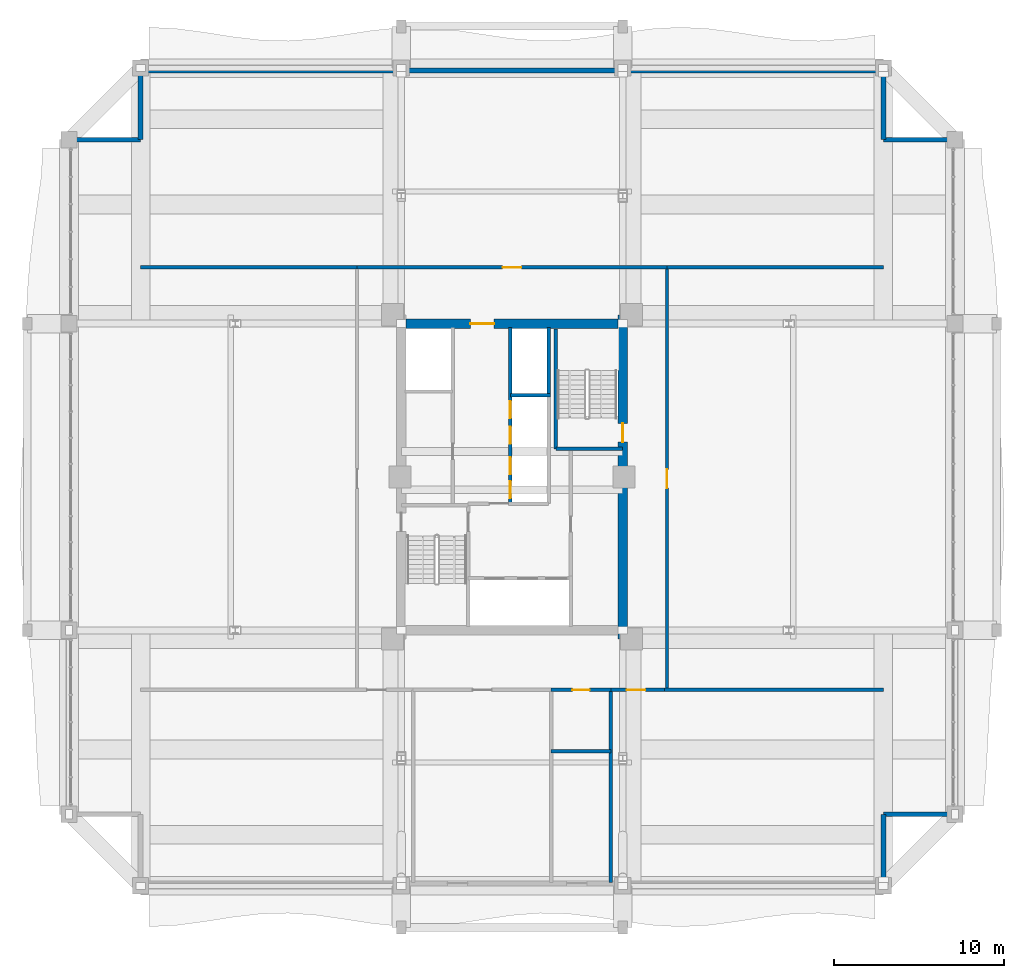
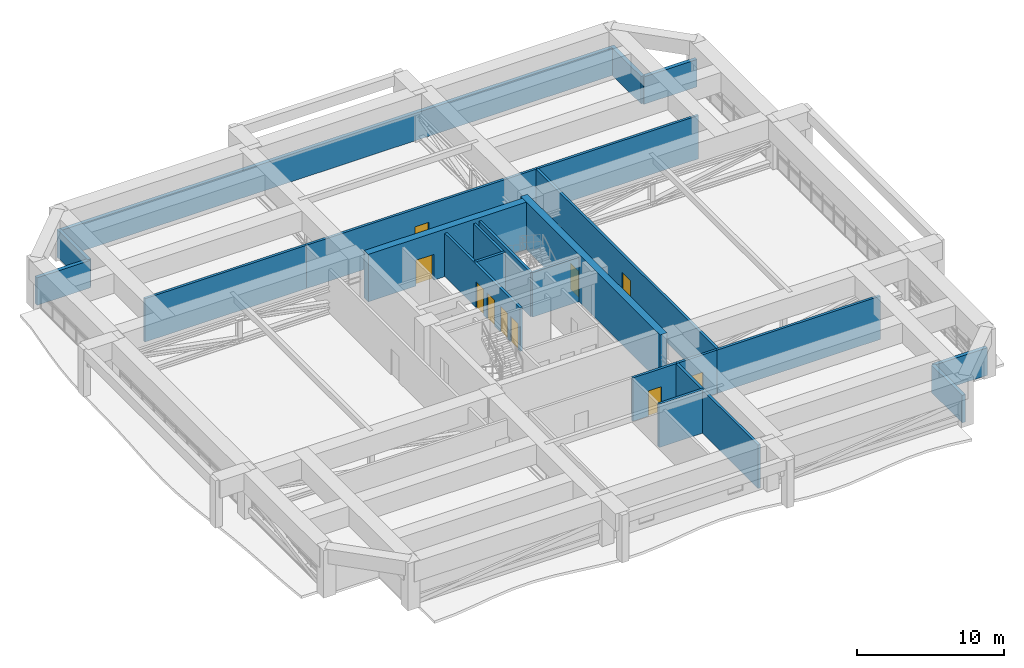
# One storey, part 29 of 35: 23 walls, 10 doors, 10 openings.
"""IFC4 building model written with IfcOpenShell, lengths in metres."""

from ifc_helpers import new_model, si_unit, direction, frame, frame_2d, origin, place, context, subcontext, project, spatial, rectangle, extrude, source, transform, mapped, material, layer, layer_set, type_object, element, fill, save


model = new_model("IFC4")

# Units and contexts
model_context = context("Model", 3, precision=1e-05, world=origin(), true_north=direction((0.0, 1.0)))
body_context = subcontext(model_context, "Body", "Model", "MODEL_VIEW")
ifc_project = project(units=[si_unit("LENGTHUNIT", "METRE"), si_unit("AREAUNIT", "SQUARE_METRE"), si_unit("VOLUMEUNIT", "CUBIC_METRE"), si_unit("PLANEANGLEUNIT", "RADIAN"), si_unit("MASSUNIT", "GRAM", prefix="KILO")], contexts=[model_context])

# Site, building, storey
site_placement = place(None, origin())
site = spatial("IfcSite", under=ifc_project, at=site_placement, CompositionType="ELEMENT")
building_placement = place(site_placement, origin())
building = spatial("IfcBuilding", under=site, at=building_placement, Name="Saelheon Loggia Tower", CompositionType="ELEMENT")
storey_placement = place(building_placement, frame((0.0, 0.0, 144.75)))
storey = spatial("IfcBuildingStorey", under=building, at=storey_placement, Name="L46", CompositionType="ELEMENT", Elevation=144.75)

# Wall, opening, door
ifc_material_1 = material(Name="Concrete C50/60", Category="concrete")
ifc_layer_1 = layer(ifc_material_1, 0.550048828125)
ifc_layer_set_1 = layer_set([ifc_layer_1], Name="Concrete C50/60")
wall_type_1 = type_object("IfcWallType", Name="Wall_CoreShear_550", PredefinedType="SHEAR", material=ifc_layer_set_1)
wall_1_placement = place(storey_placement, frame((44.5, 17.47998046875, 0.0), z_axis=(0.0, 0.0, 1.0), x_axis=(0.0, 1.0, 0.0)))
wall_1 = element("IfcWall", 1, at=wall_1_placement, inside=storey, type_object=wall_type_1, Name="L46 Core Shear Wall East", PredefinedType="SHEAR", context=body_context, shape_type="SweptSolid", body=[
    extrude(rectangle(XDim=19.0400390625, YDim=0.550048828125, at=frame_2d((9.52001953125, 0.0))), origin(), (0.0, 0.0, 1.0), 3.949951171875),
])
opening_1_placement = place(wall_1_placement, frame((12.670166015625, 0.0, 0.0), z_axis=(0.0, 0.0, 1.0), x_axis=(-1.0, 0.0, 0.0)))
opening_1 = element("IfcOpeningElement", 2, at=opening_1_placement, cuts=wall_1, Name="Opening D-FD2", PredefinedType="OPENING", context=body_context, shape_type="SweptSolid", body=[
    extrude(rectangle(XDim=1.10009765625, YDim=2.14990234375, at=frame_2d((0.550048828125, 1.074951171875))), frame((0.0, 0.287109375, 0.0), z_axis=(0.0, -1.0, 0.0), x_axis=(1.0, 0.0, 0.0)), (0.0, 0.0, 1.0), 0.573974609375),
])
ifc_material_2 = material(Name="Galvanised Steel Fire Door", Category="steel")
door_type_1 = type_object("IfcDoorType", Name="Door_Fire_FD60_1100", OperationType="NOTDEFINED", PredefinedType="DOOR", material=ifc_material_2)
shared_shape_1 = source(origin(), body_context, "Body", "SweptSolid", [
    extrude(rectangle(XDim=1.10009765625, YDim=2.14990234375, at=frame_2d((0.550048828125, 1.074951171875))), frame((0.0, 0.02490234375, 0.0), z_axis=(0.0, -1.0, 0.0), x_axis=(1.0, 0.0, 0.0)), (0.0, 0.0, 1.0), 0.050048828125),
])
door_1_placement = place(opening_1_placement, origin())
door_1 = element("IfcDoor", 3, at=door_1_placement, inside=storey, type_object=door_type_1, Name="L46 Stair ST2 Corridor Door", OperationType="SINGLE_SWING_RIGHT", OverallHeight=2.14990234375, OverallWidth=1.10009765625, PredefinedType="DOOR", context=body_context, shape_type="MappedRepresentation", body=[
    mapped(shared_shape_1, transform((0.0, 0.0, 0.0), scale=1.0)),
])
fill(opening_1, door_1)

wall_2_placement = place(storey_placement, frame((31.77490234375, 36.0, 0.0), z_axis=(0.0, 0.0, 1.0), x_axis=(1.0, 0.0, 0.0)))
wall_2 = element("IfcWall", 4, at=wall_2_placement, inside=storey, type_object=wall_type_1, Name="L46 Core Shear Wall North", PredefinedType="SHEAR", context=body_context, shape_type="SweptSolid", body=[
    extrude(rectangle(XDim=12.4501953125, YDim=0.550048828125, at=frame_2d((6.22509765625, 0.0))), origin(), (0.0, 0.0, 1.0), 3.949951171875),
])
opening_2_placement = place(wall_2_placement, frame((5.1748046875, 0.0, 0.0), z_axis=(0.0, 0.0, 1.0), x_axis=(-1.0, 0.0, 0.0)))
opening_2 = element("IfcOpeningElement", 5, at=opening_2_placement, cuts=wall_2, Name="Opening D-FD2L", PredefinedType="OPENING", context=body_context, shape_type="SweptSolid", body=[
    extrude(rectangle(XDim=1.39990234375, YDim=2.14990234375, at=frame_2d((0.699951171875, 1.074951171875))), frame((0.0, 0.287109375, 0.0), z_axis=(0.0, -1.0, 0.0), x_axis=(1.0, 0.0, 0.0)), (0.0, 0.0, 1.0), 0.573974609375),
])
ifc_material_3 = material(Name="Galvanised Steel Glazed Lobby Fire Door", Category="steel")
door_type_2 = type_object("IfcDoorType", Name="Door_Fire_FD60_1400", OperationType="NOTDEFINED", PredefinedType="DOOR", material=ifc_material_3)
shared_shape_2 = source(origin(), body_context, "Body", "SweptSolid", [
    extrude(rectangle(XDim=1.39990234375, YDim=2.14990234375, at=frame_2d((0.699951171875, 1.074951171875))), frame((0.0, 0.02490234375, 0.0), z_axis=(0.0, -1.0, 0.0), x_axis=(1.0, 0.0, 0.0)), (0.0, 0.0, 1.0), 0.050048828125),
])
door_2_placement = place(opening_2_placement, origin())
door_2 = element("IfcDoor", 6, at=door_2_placement, inside=storey, type_object=door_type_2, Name="L46 Passenger Lift Lobby Main Door", OperationType="SINGLE_SWING_RIGHT", OverallHeight=2.14990234375, OverallWidth=1.39990234375, PredefinedType="DOOR", context=body_context, shape_type="MappedRepresentation", body=[
    mapped(shared_shape_2, transform((0.0, 0.0, 0.0), scale=1.0)),
])
fill(opening_2, door_2)

# Walls
ifc_material_4 = material(Name="Architectural Precast Concrete C40/50", Category="concrete")
ifc_layer_2 = layer(ifc_material_4, 0.280029296875)
ifc_layer_set_2 = layer_set([ifc_layer_2], Name="Architectural Precast Concrete C40/50")
wall_type_2 = type_object("IfcWallType", Name="Wall_Ext_Loggia_280", PredefinedType="SOLIDWALL", material=ifc_layer_set_2)
wall_3_placement = place(storey_placement, frame((16.199951171875, 50.860107421875, 0.0), z_axis=(0.0, 0.0, 1.0), x_axis=(1.0, 0.0, 0.0)))
element("IfcWall", 7, at=wall_3_placement, inside=storey, type_object=wall_type_2, Name="L46 Refuge North Wall", PredefinedType="SOLIDWALL", context=body_context, shape_type="SweptSolid", body=[
    extrude(rectangle(XDim=43.60009765625, YDim=0.280029296875, at=frame_2d((21.800048828125, 0.0))), origin(), (0.0, 0.0, 1.0), 2.2900390625),
])
for number, where, z_axis, x_axis, name in (
    (8, (59.800048828125, 3.0, 0.0), (0.0, 0.0, 1.0), (0.0, 1.0, 0.0), "L46 Notch Wall SE1"),
    (9, (59.800048828125, 7.199951171875, 0.0), (0.0, 0.0, 1.0), (1.0, 0.0, 0.0), "L46 Notch Wall SE2"),
    (10, (16.199951171875, 46.800048828125, 0.0), (0.0, 0.0, 1.0), (0.0, 1.0, 0.0), "L46 Notch Wall NW1"),
    (11, (12.0, 46.800048828125, 0.0), (0.0, 0.0, 1.0), (1.0, 0.0, 0.0), "L46 Notch Wall NW2"),
    (12, (59.800048828125, 46.800048828125, 0.0), (0.0, 0.0, 1.0), (0.0, 1.0, 0.0), "L46 Notch Wall NE1"),
    (13, (59.800048828125, 46.800048828125, 0.0), (0.0, 0.0, 1.0), (1.0, 0.0, 0.0), "L46 Notch Wall NE2"),
):
    element("IfcWall", number, at=place(storey_placement, frame(where, z_axis=z_axis, x_axis=x_axis)), inside=storey, type_object=wall_type_2, Name=name, PredefinedType="SOLIDWALL", context=body_context, shape_type="SweptSolid", body=[
        extrude(rectangle(XDim=4.199951171875, YDim=0.280029296875, at=frame_2d((2.10009765625, 0.0))), origin(), (0.0, 0.0, 1.0), 2.2900390625),
    ])
ifc_material_5 = material(Name="Concrete C40/50", Category="concrete")
ifc_layer_3 = layer(ifc_material_5, 0.199951171875)
ifc_layer_set_3 = layer_set([ifc_layer_3], Name="Concrete C40/50")
wall_type_3 = type_object("IfcWallType", Name="Wall_Shaft_200", PredefinedType="PARTITIONING", material=ifc_layer_set_3)
wall_4_placement = place(storey_placement, frame((40.14990234375, 31.800048828125, 0.0), z_axis=(0.0, 0.0, 1.0), x_axis=(0.0, 1.0, 0.0)))
element("IfcWall", 14, at=wall_4_placement, inside=storey, type_object=wall_type_3, Name="L46 East High-Rise Hoistway East Wall", PredefinedType="PARTITIONING", context=body_context, shape_type="SweptSolid", body=[
    extrude(rectangle(XDim=3.97998046875, YDim=0.199951171875, at=frame_2d((1.989990234375, 0.0))), origin(), (0.0, 0.0, 1.0), 3.610107421875),
])

# Wall, openings, doors
wall_5_placement = place(storey_placement, frame((37.89990234375, 25.43994140625, 0.0), z_axis=(0.0, 0.0, 1.0), x_axis=(0.0, 1.0, 0.0)))
wall_5 = element("IfcWall", 15, at=wall_5_placement, inside=storey, type_object=wall_type_3, Name="L46 East Passenger Lift Bank Wall", PredefinedType="PARTITIONING", context=body_context, shape_type="SweptSolid", body=[
    extrude(rectangle(XDim=10.340087890625, YDim=0.199951171875, at=frame_2d((5.169921875, 0.0))), origin(), (0.0, 0.0, 1.0), 3.610107421875),
])
opening_3_placement = place(wall_5_placement, frame((0.320068359375, 0.0, 0.0)))
opening_3 = element("IfcOpeningElement", 16, at=opening_3_placement, cuts=wall_5, Name="Opening LD1", PredefinedType="OPENING", context=body_context, shape_type="SweptSolid", body=[
    extrude(rectangle(XDim=1.0, YDim=2.14990234375, at=frame_2d((0.5, 1.074951171875))), frame((0.0, 0.112060546875, 0.0), z_axis=(0.0, -1.0, 0.0), x_axis=(1.0, 0.0, 0.0)), (0.0, 0.0, 1.0), 0.223876953125),
])
opening_4_placement = place(wall_5_placement, frame((1.7099609375, 0.0, 0.0)))
opening_4 = element("IfcOpeningElement", 17, at=opening_4_placement, cuts=wall_5, Name="Opening LD1", PredefinedType="OPENING", context=body_context, shape_type="SweptSolid", body=[
    extrude(rectangle(XDim=1.0, YDim=2.14990234375, at=frame_2d((0.5, 1.074951171875))), frame((0.0, 0.112060546875, 0.0), z_axis=(0.0, -1.0, 0.0), x_axis=(1.0, 0.0, 0.0)), (0.0, 0.0, 1.0), 0.223876953125),
])
opening_5_placement = place(wall_5_placement, frame((3.510009765625, 0.0, 0.0)))
opening_5 = element("IfcOpeningElement", 18, at=opening_5_placement, cuts=wall_5, Name="Opening LD1", PredefinedType="OPENING", context=body_context, shape_type="SweptSolid", body=[
    extrude(rectangle(XDim=1.0, YDim=2.14990234375, at=frame_2d((0.5, 1.074951171875))), frame((0.0, 0.112060546875, 0.0), z_axis=(0.0, -1.0, 0.0), x_axis=(1.0, 0.0, 0.0)), (0.0, 0.0, 1.0), 0.223876953125),
])
opening_6_placement = place(wall_5_placement, frame((5.010009765625, 0.0, 0.0)))
opening_6 = element("IfcOpeningElement", 19, at=opening_6_placement, cuts=wall_5, Name="Opening LD1", PredefinedType="OPENING", context=body_context, shape_type="SweptSolid", body=[
    extrude(rectangle(XDim=1.0, YDim=2.14990234375, at=frame_2d((0.5, 1.074951171875))), frame((0.0, 0.112060546875, 0.0), z_axis=(0.0, -1.0, 0.0), x_axis=(1.0, 0.0, 0.0)), (0.0, 0.0, 1.0), 0.223876953125),
])
ifc_material_6 = material(Name="Brushed Stainless Steel 304 Landing Door", Category="steel")
door_type_3 = type_object("IfcDoorType", Name="Door_Lift_LD1", OperationType="DOUBLE_DOOR_SLIDING", PredefinedType="DOOR", material=ifc_material_6)
shared_shape_3 = source(origin(), body_context, "Body", "SweptSolid", [
    extrude(rectangle(XDim=1.0, YDim=2.14990234375, at=frame_2d((0.5, 1.074951171875))), frame((0.0, 0.02490234375, 0.0), z_axis=(0.0, -1.0, 0.0), x_axis=(1.0, 0.0, 0.0)), (0.0, 0.0, 1.0), 0.050048828125),
])
door_3_placement = place(opening_3_placement, origin())
door_3 = element("IfcDoor", 20, at=door_3_placement, inside=storey, type_object=door_type_3, Name="L46 PM1 Landing Door", OperationType="DOUBLE_DOOR_SLIDING", OverallHeight=2.14990234375, OverallWidth=1.0, PredefinedType="DOOR", context=body_context, shape_type="MappedRepresentation", body=[
    mapped(shared_shape_3, transform((0.0, 0.0, 0.0), scale=1.0)),
])
fill(opening_3, door_3)
door_4_placement = place(opening_4_placement, origin())
door_4 = element("IfcDoor", 21, at=door_4_placement, inside=storey, type_object=door_type_3, Name="L46 PM2 Landing Door", OperationType="DOUBLE_DOOR_SLIDING", OverallHeight=2.14990234375, OverallWidth=1.0, PredefinedType="DOOR", context=body_context, shape_type="MappedRepresentation", body=[
    mapped(shared_shape_3, transform((0.0, 0.0, 0.0), scale=1.0)),
])
fill(opening_4, door_4)
door_5_placement = place(opening_5_placement, origin())
door_5 = element("IfcDoor", 22, at=door_5_placement, inside=storey, type_object=door_type_3, Name="L46 PM3 Landing Door", OperationType="DOUBLE_DOOR_SLIDING", OverallHeight=2.14990234375, OverallWidth=1.0, PredefinedType="DOOR", context=body_context, shape_type="MappedRepresentation", body=[
    mapped(shared_shape_3, transform((0.0, 0.0, 0.0), scale=1.0)),
])
fill(opening_5, door_5)
door_6_placement = place(opening_6_placement, origin())
door_6 = element("IfcDoor", 23, at=door_6_placement, inside=storey, type_object=door_type_3, Name="L46 PM4 Landing Door", OperationType="DOUBLE_DOOR_SLIDING", OverallHeight=2.14990234375, OverallWidth=1.0, PredefinedType="DOOR", context=body_context, shape_type="MappedRepresentation", body=[
    mapped(shared_shape_3, transform((0.0, 0.0, 0.0), scale=1.0)),
])
fill(opening_6, door_6)

# Wall
wall_6_placement = place(storey_placement, frame((37.89990234375, 31.800048828125, 0.0), z_axis=(0.0, 0.0, 1.0), x_axis=(1.0, 0.0, 0.0)))
element("IfcWall", 24, at=wall_6_placement, inside=storey, type_object=wall_type_3, Name="L46 East High-Rise Shaft Divider", PredefinedType="PARTITIONING", context=body_context, shape_type="SweptSolid", body=[
    extrude(rectangle(XDim=2.35009765625, YDim=0.199951171875, at=frame_2d((1.175048828125, 0.0))), origin(), (0.0, 0.0, 1.0), 3.610107421875),
])

# Wall, opening, door
wall_7_placement = place(storey_placement, frame((40.300048828125, 14.5, 0.0), z_axis=(0.0, 0.0, 1.0), x_axis=(1.0, 0.0, 0.0)))
wall_7 = element("IfcWall", 25, at=wall_7_placement, inside=storey, type_object=wall_type_3, Name="PW-L46-RFG-SC2", PredefinedType="PARTITIONING", context=body_context, shape_type="SweptSolid", body=[
    extrude(rectangle(XDim=3.5, YDim=0.199951171875, at=frame_2d((1.75, 0.0))), origin(), (0.0, 0.0, 1.0), 3.610107421875),
])
opening_7_placement = place(wall_7_placement, frame((1.25, 0.0, 0.0)))
opening_7 = element("IfcOpeningElement", 26, at=opening_7_placement, cuts=wall_7, Name="Opening D-AC1", PredefinedType="OPENING", context=body_context, shape_type="SweptSolid", body=[
    extrude(rectangle(XDim=1.0, YDim=2.10009765625, at=frame_2d((0.5, 1.050048828125))), frame((0.0, 0.112060546875, 0.0), z_axis=(0.0, -1.0, 0.0), x_axis=(1.0, 0.0, 0.0)), (0.0, 0.0, 1.0), 0.223876953125),
])
ifc_material_7 = material(Name="Accessible Laminate Flush Door", Category="timber")
door_type_4 = type_object("IfcDoorType", Name="Door_Acc_1000", OperationType="NOTDEFINED", PredefinedType="DOOR", material=ifc_material_7)
shared_shape_4 = source(origin(), body_context, "Body", "SweptSolid", [
    extrude(rectangle(XDim=1.0, YDim=2.10009765625, at=frame_2d((0.5, 1.050048828125))), frame((0.0, 0.02490234375, 0.0), z_axis=(0.0, -1.0, 0.0), x_axis=(1.0, 0.0, 0.0)), (0.0, 0.0, 1.0), 0.050048828125),
])
door_7_placement = place(opening_7_placement, origin())
door_7 = element("IfcDoor", 27, at=door_7_placement, inside=storey, type_object=door_type_4, Name="L46 Refuge Accessible WC Door", OperationType="SINGLE_SWING_RIGHT", OverallHeight=2.10009765625, OverallWidth=1.0, PredefinedType="DOOR", context=body_context, shape_type="MappedRepresentation", body=[
    mapped(shared_shape_4, transform((0.0, 0.0, 0.0), scale=1.0)),
])
fill(opening_7, door_7)

wall_8_placement = place(storey_placement, frame((43.800048828125, 14.5, 0.0), z_axis=(0.0, 0.0, 1.0), x_axis=(1.0, 0.0, 0.0)))
wall_8 = element("IfcWall", 28, at=wall_8_placement, inside=storey, type_object=wall_type_3, Name="PW-L46-RFG-SE1", PredefinedType="PARTITIONING", context=body_context, shape_type="SweptSolid", body=[
    extrude(rectangle(XDim=3.14990234375, YDim=0.199951171875, at=frame_2d((1.574951171875, 0.0))), origin(), (0.0, 0.0, 1.0), 3.610107421875),
])
opening_8_placement = place(wall_8_placement, frame((0.927978515625, 0.0, 0.0)))
opening_8 = element("IfcOpeningElement", 29, at=opening_8_placement, cuts=wall_8, Name="Opening D-FD2", PredefinedType="OPENING", context=body_context, shape_type="SweptSolid", body=[
    extrude(rectangle(XDim=1.10009765625, YDim=2.14990234375, at=frame_2d((0.550048828125, 1.074951171875))), frame((0.0, 0.112060546875, 0.0), z_axis=(0.0, -1.0, 0.0), x_axis=(1.0, 0.0, 0.0)), (0.0, 0.0, 1.0), 0.223876953125),
])
door_8_placement = place(opening_8_placement, origin())
door_8 = element("IfcDoor", 30, at=door_8_placement, inside=storey, type_object=door_type_1, Name="L46 Plant Bay SE Door", OperationType="SINGLE_SWING_LEFT", OverallHeight=2.14990234375, OverallWidth=1.10009765625, PredefinedType="DOOR", context=body_context, shape_type="MappedRepresentation", body=[
    mapped(shared_shape_1, transform((0.0, 0.0, 0.0), scale=1.0)),
])
fill(opening_8, door_8)

# Walls
wall_9_placement = place(storey_placement, frame((46.949951171875, 14.5, 0.0), z_axis=(0.0, 0.0, 1.0), x_axis=(1.0, 0.0, 0.0)))
element("IfcWall", 31, at=wall_9_placement, inside=storey, type_object=wall_type_3, Name="PW-L46-RFG-SE2", PredefinedType="PARTITIONING", context=body_context, shape_type="SweptSolid", body=[
    extrude(rectangle(XDim=12.85009765625, YDim=0.199951171875, at=frame_2d((6.425048828125, 0.0))), origin(), (0.0, 0.0, 1.0), 3.610107421875),
])
wall_10_placement = place(storey_placement, frame((43.800048828125, 3.199951171875, 0.0), z_axis=(0.0, 0.0, 1.0), x_axis=(0.0, 1.0, 0.0)))
element("IfcWall", 32, at=wall_10_placement, inside=storey, type_object=wall_type_3, Name="PW-L46-RFG-VR", PredefinedType="PARTITIONING", context=body_context, shape_type="SweptSolid", body=[
    extrude(rectangle(XDim=11.300048828125, YDim=0.199951171875, at=frame_2d((5.64990234375, 0.0))), origin(), (0.0, 0.0, 1.0), 3.610107421875),
])
wall_11_placement = place(storey_placement, frame((40.300048828125, 10.89990234375, 0.0), z_axis=(0.0, 0.0, 1.0), x_axis=(1.0, 0.0, 0.0)))
element("IfcWall", 33, at=wall_11_placement, inside=storey, type_object=wall_type_3, Name="PW-L46-RFG-WCS", PredefinedType="PARTITIONING", context=body_context, shape_type="SweptSolid", body=[
    extrude(rectangle(XDim=3.5, YDim=0.199951171875, at=frame_2d((1.75, 0.0))), origin(), (0.0, 0.0, 1.0), 3.610107421875),
])
wall_12_placement = place(storey_placement, frame((16.199951171875, 39.300048828125, 0.0), z_axis=(0.0, 0.0, 1.0), x_axis=(1.0, 0.0, 0.0)))
element("IfcWall", 34, at=wall_12_placement, inside=storey, type_object=wall_type_3, Name="PW-L46-PMP-NW", PredefinedType="PARTITIONING", context=body_context, shape_type="SweptSolid", body=[
    extrude(rectangle(XDim=12.699951171875, YDim=0.199951171875, at=frame_2d((6.35009765625, 0.0))), origin(), (0.0, 0.0, 1.0), 3.610107421875),
])

# Wall, opening, door
wall_13_placement = place(storey_placement, frame((28.89990234375, 39.300048828125, 0.0), z_axis=(0.0, 0.0, 1.0), x_axis=(1.0, 0.0, 0.0)))
wall_13 = element("IfcWall", 35, at=wall_13_placement, inside=storey, type_object=wall_type_3, Name="PW-L46-PMP-NC", PredefinedType="PARTITIONING", context=body_context, shape_type="SweptSolid", body=[
    extrude(rectangle(XDim=18.2001953125, YDim=0.199951171875, at=frame_2d((9.10009765625, 0.0))), origin(), (0.0, 0.0, 1.0), 3.610107421875),
])
opening_9_placement = place(wall_13_placement, frame((8.550048828125, 0.0, 0.0)))
opening_9 = element("IfcOpeningElement", 36, at=opening_9_placement, cuts=wall_13, Name="Opening D-FD2", PredefinedType="OPENING", context=body_context, shape_type="SweptSolid", body=[
    extrude(rectangle(XDim=1.10009765625, YDim=2.14990234375, at=frame_2d((0.550048828125, 1.074951171875))), frame((0.0, 0.112060546875, 0.0), z_axis=(0.0, -1.0, 0.0), x_axis=(1.0, 0.0, 0.0)), (0.0, 0.0, 1.0), 0.223876953125),
])
door_9_placement = place(opening_9_placement, origin())
door_9 = element("IfcDoor", 37, at=door_9_placement, inside=storey, type_object=door_type_1, Name="L46 Booster Pump Room Door", OperationType="SINGLE_SWING_RIGHT", OverallHeight=2.14990234375, OverallWidth=1.10009765625, PredefinedType="DOOR", context=body_context, shape_type="MappedRepresentation", body=[
    mapped(shared_shape_1, transform((0.0, 0.0, 0.0), scale=1.0)),
])
fill(opening_9, door_9)

# Wall
wall_14_placement = place(storey_placement, frame((47.10009765625, 39.300048828125, 0.0), z_axis=(0.0, 0.0, 1.0), x_axis=(1.0, 0.0, 0.0)))
element("IfcWall", 38, at=wall_14_placement, inside=storey, type_object=wall_type_3, Name="PW-L46-PMP-NE", PredefinedType="PARTITIONING", context=body_context, shape_type="SweptSolid", body=[
    extrude(rectangle(XDim=12.699951171875, YDim=0.199951171875, at=frame_2d((6.35009765625, 0.0))), origin(), (0.0, 0.0, 1.0), 3.610107421875),
])

# Wall, opening, door
wall_15_placement = place(storey_placement, frame((47.10009765625, 14.5, 0.0), z_axis=(0.0, 0.0, 1.0), x_axis=(0.0, 1.0, 0.0)))
wall_15 = element("IfcWall", 39, at=wall_15_placement, inside=storey, type_object=wall_type_3, Name="PW-L46-ELC-E", PredefinedType="PARTITIONING", context=body_context, shape_type="SweptSolid", body=[
    extrude(rectangle(XDim=24.800048828125, YDim=0.199951171875, at=frame_2d((12.39990234375, 0.0))), origin(), (0.0, 0.0, 1.0), 3.610107421875),
])
opening_10_placement = place(wall_15_placement, frame((11.85009765625, 0.0, 0.0)))
opening_10 = element("IfcOpeningElement", 40, at=opening_10_placement, cuts=wall_15, Name="Opening D-FD2", PredefinedType="OPENING", context=body_context, shape_type="SweptSolid", body=[
    extrude(rectangle(XDim=1.10009765625, YDim=2.14990234375, at=frame_2d((0.550048828125, 1.074951171875))), frame((0.0, 0.112060546875, 0.0), z_axis=(0.0, -1.0, 0.0), x_axis=(1.0, 0.0, 0.0)), (0.0, 0.0, 1.0), 0.223876953125),
])
door_10_placement = place(opening_10_placement, origin())
door_10 = element("IfcDoor", 41, at=door_10_placement, inside=storey, type_object=door_type_1, Name="L46 Electrical Plant Room Door", OperationType="SINGLE_SWING_RIGHT", OverallHeight=2.14990234375, OverallWidth=1.10009765625, PredefinedType="DOOR", context=body_context, shape_type="MappedRepresentation", body=[
    mapped(shared_shape_1, transform((0.0, 0.0, 0.0), scale=1.0)),
])
fill(opening_10, door_10)

# Walls
ifc_material_8 = material(Name="Concrete C45/55", Category="concrete")
ifc_layer_4 = layer(ifc_material_8, 0.199951171875)
ifc_layer_set_4 = layer_set([ifc_layer_4], Name="Concrete C45/55")
wall_type_4 = type_object("IfcWallType", Name="Wall_StairShaft_RC200", PredefinedType="SOLIDWALL", material=ifc_layer_set_4)
wall_16_placement = place(storey_placement, frame((40.570068359375, 28.64990234375, 0.0), z_axis=(0.0, 0.0, 1.0), x_axis=(0.0, 1.0, 0.0)))
element("IfcWall", 42, at=wall_16_placement, inside=storey, type_object=wall_type_4, Name="L46 Stair ST2 Shaft Wall", PredefinedType="SOLIDWALL", context=body_context, shape_type="SweptSolid", body=[
    extrude(rectangle(XDim=7.050048828125, YDim=0.199951171875, at=frame_2d((3.52490234375, 0.0))), origin(), (0.0, 0.0, 1.0), 3.68994140625),
])
wall_17_placement = place(storey_placement, frame((40.570068359375, 28.64990234375, 0.0), z_axis=(0.0, 0.0, 1.0), x_axis=(1.0, 0.0, 0.0)))
element("IfcWall", 43, at=wall_17_placement, inside=storey, type_object=wall_type_4, Name="L46 Stair ST2 South Wall", PredefinedType="SOLIDWALL", context=body_context, shape_type="SweptSolid", body=[
    extrude(rectangle(XDim=3.929931640625, YDim=0.199951171875, at=frame_2d((1.96484375, 0.0))), origin(), (0.0, 0.0, 1.0), 3.68994140625),
])

save(model, "model.ifc")
